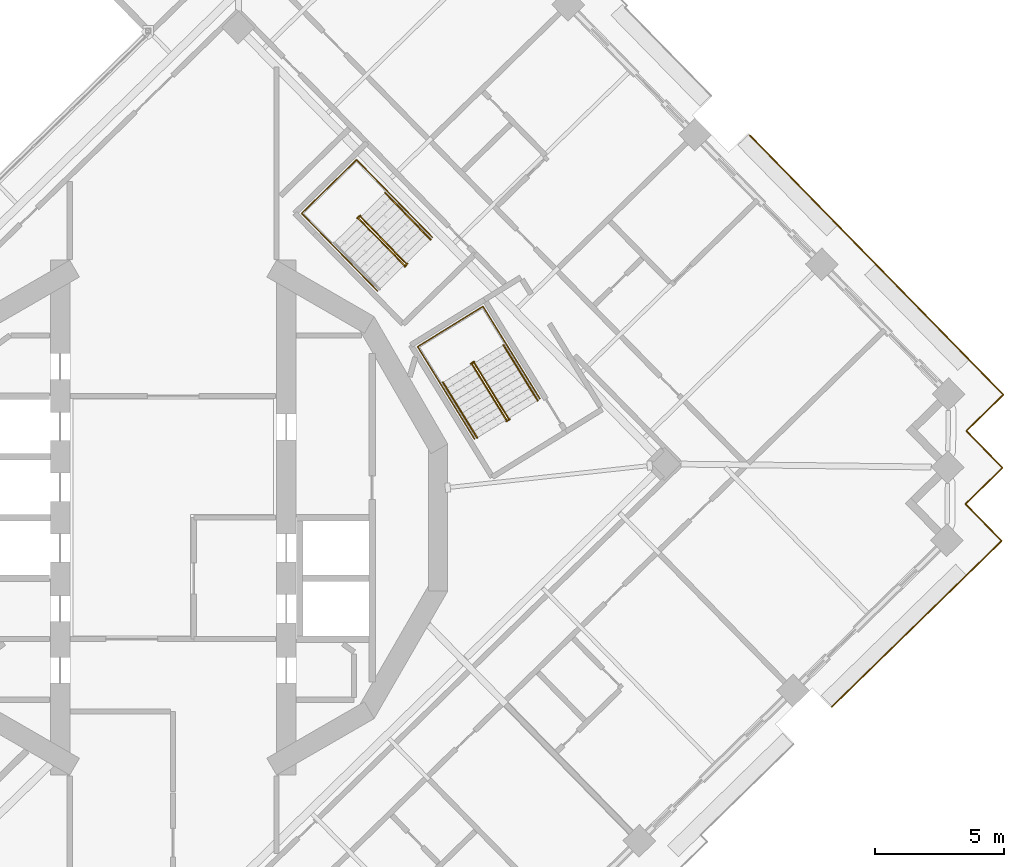
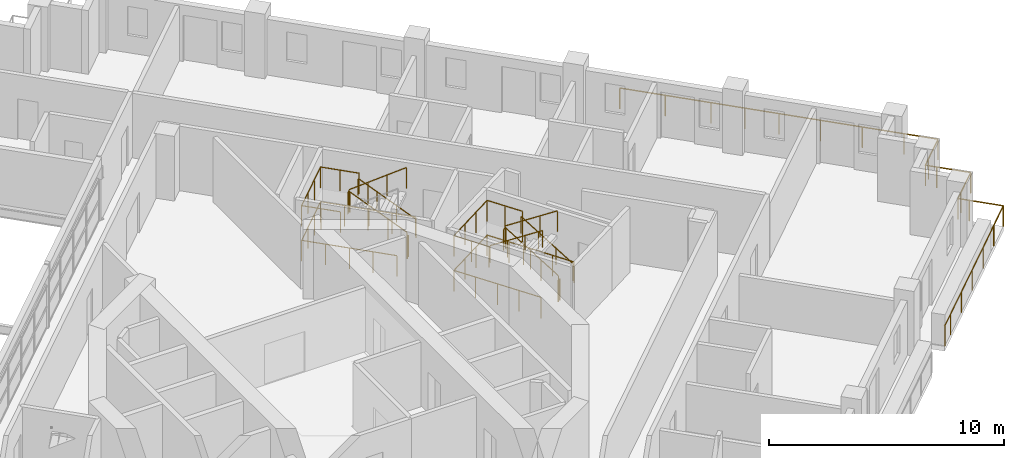
# One storey, part 16 of 18: 14 railings.
"""IFC4 building model written with IfcOpenShell, lengths in metres."""

import ifcopenshell
import ifcopenshell.guid

model = None  # the IFC model being written
_history = None  # IfcOwnerHistory: only IFC2X3 demands one
_inside = {}  # id of a spatial element -> (the spatial element, [elements in it])
_under = {}  # id of a project, library or spatial element -> (it, [spatial elements below it])
_declared = {}  # id of a project -> (the project, [libraries it declares])
_typed = {}  # id of a type object -> (the type object, [elements of that type])
_made_of = {}  # id of a material, layer set ... -> (it, [elements and type objects made of it])


def new_model(schema):
    """Start an empty IFC model of exactly this schema.

    Asked for "IFC4X3", IfcOpenShell would pick the latest addendum, in which some entities
    have other attributes; the version numbers below select the first issue.
    IFC2X3 requires an IfcOwnerHistory on every rooted entity: one is made here for all.
    """
    global model, _history
    if schema == "IFC4X3":
        model = ifcopenshell.file(schema_version=(4, 3, 0, 0))
    else:
        model = ifcopenshell.file(schema=schema)
    _inside.clear()
    _under.clear()
    _declared.clear()
    _typed.clear()
    _made_of.clear()
    _history = None
    if model.schema == "IFC2X3":
        org = make("IfcOrganization", Name="unknown")
        user = make(
            "IfcPersonAndOrganization",
            ThePerson=make("IfcPerson", FamilyName="unknown"),
            TheOrganization=org,
        )
        app = make(
            "IfcApplication",
            ApplicationDeveloper=org,
            Version="unknown",
            ApplicationFullName="unknown",
            ApplicationIdentifier="unknown",
        )
        _history = make(
            "IfcOwnerHistory",
            OwningUser=user,
            OwningApplication=app,
            ChangeAction="ADDED",
            CreationDate=0,
        )
    return model


def make(cls, **values):
    """One entity of the class cls with the attributes given. An attribute that is None is left unset."""
    return model.create_entity(
        cls, **{name: value for name, value in values.items() if value is not None}
    )


def rooted(cls, **values):
    """An entity with a GlobalId (a new one), such as an element, a storey or a relation."""
    return make(cls, GlobalId=ifcopenshell.guid.new(), OwnerHistory=_history, **values)


def si_unit(unit_type, name, prefix=None):
    """IfcSIUnit, for example si_unit("LENGTHUNIT", "METRE", prefix="MILLI")."""
    return make("IfcSIUnit", UnitType=unit_type, Prefix=prefix, Name=name)


def assignment(units):
    """IfcUnitAssignment: the units of a project."""
    return None if units is None else make("IfcUnitAssignment", Units=units)


def point(xyz):
    """IfcCartesianPoint."""
    return None if xyz is None else make("IfcCartesianPoint", Coordinates=xyz)


def direction(xyz):
    """IfcDirection."""
    return None if xyz is None else make("IfcDirection", DirectionRatios=xyz)


def frame(location, z_axis=None, x_axis=None):
    """IfcAxis2Placement3D, a coordinate frame: its origin and axes. An axis left out is left unset."""
    return make(
        "IfcAxis2Placement3D",
        Location=point(location),
        Axis=direction(z_axis),
        RefDirection=direction(x_axis),
    )


def frame_2d(location, x_axis=None):
    """IfcAxis2Placement2D, a coordinate frame in the plane: its origin and x axis."""
    return make(
        "IfcAxis2Placement2D", Location=point(location), RefDirection=direction(x_axis)
    )


def origin():
    """The frame at (0, 0, 0) with its axes left unset."""
    return frame((0.0, 0.0, 0.0))


def origin_2d():
    """The frame at (0, 0) in the plane with its x axis left unset."""
    return frame_2d((0.0, 0.0))


def place(relative_to, where):
    """IfcLocalPlacement: puts the frame where relative to a parent placement (None: the world)."""
    return make(
        "IfcLocalPlacement", PlacementRelTo=relative_to, RelativePlacement=where
    )


def context(
    kind, dimensions, precision=None, world=None, true_north=None, identifier=None
):
    """IfcGeometricRepresentationContext, for example the 3D "Model" context."""
    return make(
        "IfcGeometricRepresentationContext",
        ContextIdentifier=identifier,
        ContextType=kind,
        CoordinateSpaceDimension=dimensions,
        Precision=precision,
        WorldCoordinateSystem=world,
        TrueNorth=true_north,
    )


def subcontext(parent, identifier, kind, view, scale=None):
    """IfcGeometricRepresentationSubContext, for example "Body" below "Model"."""
    return make(
        "IfcGeometricRepresentationSubContext",
        ContextIdentifier=identifier,
        ContextType=kind,
        ParentContext=parent,
        TargetScale=scale,
        TargetView=view,
    )


def project(units=None, contexts=None):
    """IfcProject with its units and contexts."""
    return rooted(
        "IfcProject",
        Name="project",
        RepresentationContexts=contexts,
        UnitsInContext=assignment(units),
    )


def spatial(cls, under=None, at=None, **own):
    """A site, building, storey or space (cls), placed at a placement, below another one or the project."""
    s = rooted(cls, ObjectPlacement=at, **own)
    if under is not None:
        _under.setdefault(under.id(), (under, []))[1].append(s)
    return s


def profile(cls, at=None, kind="AREA", **sizes):
    """A parametric profile (cls). Its sizes go by their IFC names, for example OverallWidth=200.0."""
    return make(cls, ProfileType=kind, Position=at, **sizes)


def circle(**sizes):
    """IfcCircleProfileDef."""
    return profile("IfcCircleProfileDef", **sizes)


def extrude(swept, where, along, depth):
    """IfcExtrudedAreaSolid: the profile swept, set in the frame where, extruded along a direction by depth."""
    return make(
        "IfcExtrudedAreaSolid",
        SweptArea=swept,
        Position=where,
        ExtrudedDirection=direction(along),
        Depth=depth,
    )


def shape(context_of_items, identifier, shape_type, items):
    """IfcShapeRepresentation: the items that make up one representation, for example the "Body"."""
    return make(
        "IfcShapeRepresentation",
        ContextOfItems=context_of_items,
        RepresentationIdentifier=identifier,
        RepresentationType=shape_type,
        Items=items,
    )


def material(Name=None, Category=None):
    """IfcMaterial."""
    return make("IfcMaterial", Name=Name, Category=Category)


def made_of(thing, what):
    """Note that an element or type object is made of a material, layer set ...; save() writes the relation."""
    if what is not None:
        _made_of.setdefault(what.id(), (what, []))[1].append(thing)
    return thing


def type_object(cls, material=None, **own):
    """A type object (cls), such as IfcWallType, which elements share."""
    return made_of(rooted(cls, **own), material)


def element(
    cls,
    number,
    at=None,
    inside=None,
    cuts=None,
    type_object=None,
    material=None,
    context=None,
    identifier="Body",
    shape_type=None,
    held_by="IfcProductDefinitionShape",
    body=None,
    shapes=None,
    **own,
):
    """One element of the class cls, such as IfcWall. Its Tag is "e" and its number.

    at: its placement. inside: the storey or other place that contains it. cuts: it is an
    opening in that element (IfcRelVoidsElement). A single representation is given by context,
    identifier, shape_type and body (its items); several are given by shapes. held_by: the class
    of the entity that holds the representations. save() writes the other relations.
    """
    e = rooted(cls, Tag="e%d" % number, ObjectPlacement=at, **own)
    if body is not None:
        shapes = [shape(context, identifier, shape_type, body)]
    if shapes is not None:
        e.Representation = make(held_by, Representations=shapes)
    if inside is not None:
        _inside.setdefault(inside.id(), (inside, []))[1].append(e)
    if cuts is not None:
        rooted(
            "IfcRelVoidsElement", RelatingBuildingElement=cuts, RelatedOpeningElement=e
        )
    if type_object is not None:
        _typed.setdefault(type_object.id(), (type_object, []))[1].append(e)
    return made_of(e, material)


def aggregate(whole, parts):
    """IfcRelAggregates: a whole, such as a stair, and the parts it consists of."""
    return rooted("IfcRelAggregates", RelatingObject=whole, RelatedObjects=parts)


def save(model, path):
    """Write the relations noted so far, then the file.

    IfcRelAggregates (storeys below a building ...), IfcRelContainedInSpatialStructure (elements
    in a storey), IfcRelDefinesByType, IfcRelAssociatesMaterial and IfcRelDeclares: one each for
    every whole, place, type object, material and project.
    """
    for whole, parts in _under.values():
        aggregate(whole, parts)
    for where, things in _inside.values():
        rooted(
            "IfcRelContainedInSpatialStructure",
            RelatedElements=things,
            RelatingStructure=where,
        )
    for kind, things in _typed.values():
        rooted("IfcRelDefinesByType", RelatedObjects=things, RelatingType=kind)
    for what, things in _made_of.values():
        rooted("IfcRelAssociatesMaterial", RelatedObjects=things, RelatingMaterial=what)
    for by, libraries in _declared.values():
        rooted("IfcRelDeclares", RelatingContext=by, RelatedDefinitions=libraries)
    model.write(path)


model = new_model("IFC4")

# Units and contexts
model_context = context("Model", 3, precision=1e-05, world=origin(), true_north=direction((0.0, 1.0)))
body_context = subcontext(model_context, "Body", "Model", "MODEL_VIEW")
ifc_project = project(units=[si_unit("LENGTHUNIT", "METRE"), si_unit("AREAUNIT", "SQUARE_METRE"), si_unit("VOLUMEUNIT", "CUBIC_METRE"), si_unit("PLANEANGLEUNIT", "RADIAN"), si_unit("MASSUNIT", "GRAM", prefix="KILO")], contexts=[model_context])

# Site, building, storey
site_placement = place(None, origin())
site = spatial("IfcSite", under=ifc_project, at=site_placement, CompositionType="ELEMENT")
building_placement = place(site_placement, origin())
building = spatial("IfcBuilding", under=site, at=building_placement, Name="Cantera Rosa Tower", CompositionType="ELEMENT")
storey_placement = place(building_placement, frame((0.0, 0.0, 219.800048828125)))
storey = spatial("IfcBuildingStorey", under=building, at=storey_placement, Name="L47", CompositionType="ELEMENT", Elevation=219.800048828125)

# Railings
ifc_material_1 = material(Name="Stainless steel and laminated glass", Category="steel")
railing_type_1 = type_object("IfcRailingType", Name="GUARD 1100", PredefinedType="BALUSTRADE", material=ifc_material_1)
railing_1_placement = place(storey_placement, frame((22.313232421875, 14.795654296875, 0.0)))
element("IfcRailing", 1, at=railing_1_placement, inside=storey, type_object=railing_type_1, Name="GUARD L47-9", PredefinedType="BALUSTRADE", context=body_context, shape_type="SweptSolid", body=[
    extrude(circle(Radius=0.030029296875, at=origin_2d()), frame((0.0, 0.0, 1.070068359375), z_axis=(0.698829866575, -0.715287926351, 0.0), x_axis=(0.715287926351, 0.698829866575, 0.0)), (0.0, 0.0, 1.0), 4.02001953125),
    extrude(circle(Radius=0.030029296875, at=origin_2d()), frame((2.809326171875, -2.87548828125, 1.070068359375), z_axis=(0.698839281014, -0.715278728407, 0.0), x_axis=(0.715278728407, 0.698839281014, 0.0)), (0.0, 0.0, 1.0), 3.0),
    extrude(circle(Radius=0.030029296875, at=origin_2d()), frame((4.90576171875, -5.021240234375, 1.070068359375), z_axis=(0.698810055914, -0.715307280652, 0.0), x_axis=(0.715307280652, 0.698810055914, 0.0)), (0.0, 0.0, 1.0), 5.52001953125),
    extrude(circle(Radius=0.030029296875, at=origin_2d()), frame((8.76318359375, -8.9697265625, 1.070068359375), z_axis=(0.698921594874, -0.71519829713, 0.0), x_axis=(0.71519829713, 0.698921594874, 0.0)), (0.0, 0.0, 1.0), 1.5),
    extrude(circle(Radius=0.030029296875, at=origin_2d()), frame((9.8115234375, -10.04248046875, 1.070068359375), z_axis=(-0.715277793538, -0.698840237873, 0.0), x_axis=(0.698840237873, -0.715277793538, 0.0)), (0.0, 0.0, 1.0), 1.5),
    extrude(circle(Radius=0.030029296875, at=origin_2d()), frame((8.738525390625, -11.0908203125, 1.070068359375), z_axis=(-0.715359149995, -0.698756958118, 0.0), x_axis=(0.698756958118, -0.715359149995, 0.0)), (0.0, 0.0, 1.0), 0.5),
    extrude(circle(Radius=0.030029296875, at=origin_2d()), frame((8.380859375, -11.440185546875, 1.070068359375), z_axis=(0.699006712162, -0.715115107065, 0.0), x_axis=(0.715115107065, 0.699006712162, 0.0)), (0.0, 0.0, 1.0), 0.500244140625),
    extrude(circle(Radius=0.030029296875, at=origin_2d()), frame((8.73046875, -11.7978515625, 1.070068359375), z_axis=(0.698756958118, -0.715359149995, 0.0), x_axis=(0.715359149995, 0.698756958118, 0.0)), (0.0, 0.0, 1.0), 1.5),
    extrude(circle(Radius=0.030029296875, at=origin_2d()), frame((9.778564453125, -12.870849609375, 1.070068359375), z_axis=(-0.71519829713, -0.698921594874, 0.0), x_axis=(0.698921594874, -0.71519829713, 0.0)), (0.0, 0.0, 1.0), 1.5),
    extrude(circle(Radius=0.030029296875, at=origin_2d()), frame((8.705810546875, -13.919189453125, 1.070068359375), z_axis=(-0.715359149995, -0.698756958118, 0.0), x_axis=(0.698756958118, -0.715359149995, 0.0)), (0.0, 0.0, 1.0), 0.5),
    extrude(circle(Radius=0.030029296875, at=origin_2d()), frame((8.34814453125, -14.2685546875, 1.070068359375), z_axis=(0.698756958118, -0.715359149995, 0.0), x_axis=(0.715359149995, 0.698756958118, 0.0)), (0.0, 0.0, 1.0), 0.5),
    extrude(circle(Radius=0.030029296875, at=origin_2d()), frame((8.697509765625, -14.626220703125, 1.070068359375), z_axis=(0.698838323933, -0.71527966349, 0.0), x_axis=(0.71527966349, 0.698838323933, 0.0)), (0.0, 0.0, 1.0), 1.499755859375),
    extrude(circle(Radius=0.030029296875, at=origin_2d()), frame((9.74560546875, -15.698974609375, 1.070068359375), z_axis=(-0.71519829713, -0.698921594874, 0.0), x_axis=(0.698921594874, -0.71519829713, 0.0)), (0.0, 0.0, 1.0), 1.5),
    extrude(circle(Radius=0.030029296875, at=origin_2d()), frame((8.6728515625, -16.747314453125, 1.070068359375), z_axis=(-0.715292116391, -0.698825577829, 0.0), x_axis=(0.698825577829, -0.715292116391, 0.0)), (0.0, 0.0, 1.0), 6.820068359375),
    extrude(circle(Radius=0.030029296875, at=origin_2d()), frame((3.79443359375, -21.513427734375, 1.070068359375), z_axis=(-0.715337030636, -0.698779602308, 0.0), x_axis=(0.698779602308, -0.715337030636, 0.0)), (0.0, 0.0, 1.0), 0.869873046875),
    extrude(circle(Radius=0.02490234375, at=origin_2d()), origin(), (0.0, 0.0, 1.0), 1.0400390625),
    extrude(circle(Radius=0.02490234375, at=origin_2d()), frame((1.40478515625, -1.437744140625, 0.0)), (0.0, 0.0, 1.0), 1.0400390625),
    extrude(circle(Radius=0.02490234375, at=origin_2d()), frame((2.809326171875, -2.87548828125, 0.0)), (0.0, 0.0, 1.0), 1.0400390625),
    extrude(circle(Radius=0.02490234375, at=origin_2d()), frame((3.857421875, -3.9482421875, 0.0)), (0.0, 0.0, 1.0), 1.0400390625),
    extrude(circle(Radius=0.02490234375, at=origin_2d()), frame((4.90576171875, -5.021240234375, 0.0)), (0.0, 0.0, 1.0), 1.0400390625),
    extrude(circle(Radius=0.02490234375, at=origin_2d()), frame((6.191650390625, -6.33740234375, 0.0)), (0.0, 0.0, 1.0), 1.0400390625),
    extrude(circle(Radius=0.02490234375, at=origin_2d()), frame((7.477294921875, -7.653564453125, 0.0)), (0.0, 0.0, 1.0), 1.0400390625),
    extrude(circle(Radius=0.02490234375, at=origin_2d()), frame((8.76318359375, -8.9697265625, 0.0)), (0.0, 0.0, 1.0), 1.0400390625),
    extrude(circle(Radius=0.02490234375, at=origin_2d()), frame((9.8115234375, -10.04248046875, 0.0)), (0.0, 0.0, 1.0), 1.0400390625),
    extrude(circle(Radius=0.02490234375, at=origin_2d()), frame((8.738525390625, -11.0908203125, 0.0)), (0.0, 0.0, 1.0), 1.0400390625),
    extrude(circle(Radius=0.02490234375, at=origin_2d()), frame((8.380859375, -11.440185546875, 0.0)), (0.0, 0.0, 1.0), 1.0400390625),
    extrude(circle(Radius=0.02490234375, at=origin_2d()), frame((8.73046875, -11.7978515625, 0.0)), (0.0, 0.0, 1.0), 1.0400390625),
    extrude(circle(Radius=0.02490234375, at=origin_2d()), frame((9.778564453125, -12.870849609375, 0.0)), (0.0, 0.0, 1.0), 1.0400390625),
    extrude(circle(Radius=0.02490234375, at=origin_2d()), frame((8.705810546875, -13.919189453125, 0.0)), (0.0, 0.0, 1.0), 1.0400390625),
    extrude(circle(Radius=0.02490234375, at=origin_2d()), frame((8.34814453125, -14.2685546875, 0.0)), (0.0, 0.0, 1.0), 1.0400390625),
    extrude(circle(Radius=0.02490234375, at=origin_2d()), frame((8.697509765625, -14.626220703125, 0.0)), (0.0, 0.0, 1.0), 1.0400390625),
    extrude(circle(Radius=0.02490234375, at=origin_2d()), frame((9.74560546875, -15.698974609375, 0.0)), (0.0, 0.0, 1.0), 1.0400390625),
    extrude(circle(Radius=0.02490234375, at=origin_2d()), frame((8.6728515625, -16.747314453125, 0.0)), (0.0, 0.0, 1.0), 1.0400390625),
    extrude(circle(Radius=0.02490234375, at=origin_2d()), frame((7.453125, -17.93896484375, 0.0)), (0.0, 0.0, 1.0), 1.0400390625),
    extrude(circle(Radius=0.02490234375, at=origin_2d()), frame((6.233642578125, -19.13037109375, 0.0)), (0.0, 0.0, 1.0), 1.0400390625),
    extrude(circle(Radius=0.02490234375, at=origin_2d()), frame((5.01416015625, -20.32177734375, 0.0)), (0.0, 0.0, 1.0), 1.0400390625),
    extrude(circle(Radius=0.02490234375, at=origin_2d()), frame((3.79443359375, -21.513427734375, 0.0)), (0.0, 0.0, 1.0), 1.0400390625),
    extrude(circle(Radius=0.02490234375, at=origin_2d()), frame((3.172119140625, -22.121337890625, 0.0)), (0.0, 0.0, 1.0), 1.0400390625),
])
ifc_material_2 = material(Name="Steel S355J2 (EN 10025-2)", Category="steel")
railing_type_2 = type_object("IfcRailingType", Name="STAIR GUARD 1100", PredefinedType="GUARDRAIL", material=ifc_material_2)
railing_2_placement = place(storey_placement, frame((12.9765625, 3.834228515625, 0.179931640625)))
element("IfcRailing", 2, at=railing_2_placement, inside=storey, type_object=railing_type_2, Name="L47 ST-41 stair guard 1", PredefinedType="GUARDRAIL", context=body_context, shape_type="SweptSolid", body=[
    extrude(circle(Radius=0.02392578125, at=origin_2d()), frame((0.0, 0.0, 1.076171875), z_axis=(-0.44154346381, 0.715939337315, 0.540805172729), x_axis=(-0.851145618652, -0.524929648476, 0.0)), (0.0, 0.0, 1.0), 2.995849609375),
    extrude(circle(Radius=0.02392578125, at=origin_2d()), frame((-1.32275390625, 2.144775390625, 2.6962890625), z_axis=(-0.073711968402, 0.997279572494, 0.0), x_axis=(-0.997279572494, -0.073711968402, 0.0)), (0.0, 0.0, 1.0), 0.056396484375),
    extrude(circle(Radius=0.02392578125, at=origin_2d()), frame((-1.326904296875, 2.200927734375, 2.6962890625), z_axis=(-0.851546489876, -0.524279100842, 0.0), x_axis=(0.524279100842, -0.851546489876, 0.0)), (0.0, 0.0, 1.0), 0.14990234375),
    extrude(circle(Radius=0.02099609375, at=origin_2d()), origin(), (0.0, 0.0, 1.0), 1.052001953125),
    extrude(circle(Radius=0.02099609375, at=origin_2d()), frame((-0.44091796875, 0.71484375, 0.5400390625)), (0.0, 0.0, 1.0), 1.052001953125),
    extrude(circle(Radius=0.02099609375, at=origin_2d()), frame((-0.8818359375, 1.429931640625, 1.080078125)), (0.0, 0.0, 1.0), 1.052001953125),
    extrude(circle(Radius=0.02099609375, at=origin_2d()), frame((-1.32275390625, 2.144775390625, 1.6201171875)), (0.0, 0.0, 1.0), 1.052001953125),
    extrude(circle(Radius=0.02099609375, at=origin_2d()), frame((-1.326904296875, 2.200927734375, 1.6201171875)), (0.0, 0.0, 1.0), 1.052001953125),
    extrude(circle(Radius=0.02099609375, at=origin_2d()), frame((-1.45458984375, 2.122314453125, 1.6201171875)), (0.0, 0.0, 1.0), 1.052001953125),
])
railing_3_placement = place(storey_placement, frame((11.5703125, 5.927490234375, 1.97998046875)))
element("IfcRailing", 3, at=railing_3_placement, inside=storey, type_object=railing_type_2, Name="L47 ST-41 stair guard 2", PredefinedType="GUARDRAIL", context=body_context, shape_type="SweptSolid", body=[
    extrude(circle(Radius=0.02392578125, at=origin_2d()), frame((0.0, 0.0, 1.076171875), z_axis=(0.441628529057, -0.715945124149, 0.540728047664), x_axis=(0.851102330005, 0.524999832248, 0.0)), (0.0, 0.0, 1.0), 2.99560546875),
    extrude(circle(Radius=0.02099609375, at=origin_2d()), origin(), (0.0, 0.0, 1.0), 1.052001953125),
    extrude(circle(Radius=0.02099609375, at=origin_2d()), frame((0.44091796875, -0.71484375, 0.5400390625)), (0.0, 0.0, 1.0), 1.052001953125),
    extrude(circle(Radius=0.02099609375, at=origin_2d()), frame((0.882080078125, -1.429931640625, 1.079833984375)), (0.0, 0.0, 1.0), 1.052001953125),
    extrude(circle(Radius=0.02099609375, at=origin_2d()), frame((1.322998046875, -2.144775390625, 1.619873046875)), (0.0, 0.0, 1.0), 1.052001953125),
])
railing_4_placement = place(storey_placement, frame((13.025146484375, 3.80517578125, 0.0)))
element("IfcRailing", 4, at=railing_4_placement, inside=storey, type_object=railing_type_2, Name="L47 ST-41 stair guard 3", PredefinedType="GUARDRAIL", context=body_context, shape_type="SweptSolid", body=[
    extrude(circle(Radius=0.02392578125, at=origin_2d()), frame((0.0, 0.0, 1.076171875), z_axis=(-0.851546489876, -0.524279100842, 0.0), x_axis=(0.524279100842, -0.851546489876, 0.0)), (0.0, 0.0, 1.0), 0.14990234375),
    extrude(circle(Radius=0.02099609375, at=origin_2d()), origin(), (0.0, 0.0, 1.0), 1.052001953125),
    extrude(circle(Radius=0.02099609375, at=origin_2d()), frame((-0.127685546875, -0.07861328125, 0.0)), (0.0, 0.0, 1.0), 1.052001953125),
])
railing_5_placement = place(storey_placement, frame((14.192626953125, 4.59814453125, 0.0)))
element("IfcRailing", 5, at=railing_5_placement, inside=storey, type_object=railing_type_2, Name="L47 ST-41 stair guard 4", PredefinedType="GUARDRAIL", context=body_context, shape_type="SweptSolid", body=[
    extrude(circle(Radius=0.02392578125, at=origin_2d()), frame((0.0, 0.0, 1.076171875), z_axis=(-0.524976478809, 0.851116735059, 0.0), x_axis=(-0.851116735059, -0.524976478809, 0.0)), (0.0, 0.0, 1.0), 4.197998046875),
    extrude(circle(Radius=0.02392578125, at=origin_2d()), frame((-2.203857421875, 3.572998046875, 1.076171875), z_axis=(-0.851132917336, -0.524950242429, 0.0), x_axis=(0.524950242429, -0.851132917336, 0.0)), (0.0, 0.0, 1.0), 2.969970703125),
    extrude(circle(Radius=0.02392578125, at=origin_2d()), frame((-4.731689453125, 2.013916015625, 1.076171875), z_axis=(0.524976478809, -0.851116735059, 0.0), x_axis=(0.851116735059, 0.524976478809, 0.0)), (0.0, 0.0, 1.0), 4.197998046875),
    extrude(circle(Radius=0.02099609375, at=origin_2d()), origin(), (0.0, 0.0, 1.0), 1.052001953125),
    extrude(circle(Radius=0.02099609375, at=origin_2d()), frame((-0.551025390625, 0.893310546875, 0.0)), (0.0, 0.0, 1.0), 1.052001953125),
    extrude(circle(Radius=0.02099609375, at=origin_2d()), frame((-1.10205078125, 1.78662109375, 0.0)), (0.0, 0.0, 1.0), 1.052001953125),
    extrude(circle(Radius=0.02099609375, at=origin_2d()), frame((-1.65283203125, 2.6796875, 0.0)), (0.0, 0.0, 1.0), 1.052001953125),
    extrude(circle(Radius=0.02099609375, at=origin_2d()), frame((-2.203857421875, 3.572998046875, 0.0)), (0.0, 0.0, 1.0), 1.052001953125),
    extrude(circle(Radius=0.02099609375, at=origin_2d()), frame((-3.04638671875, 3.05322265625, 0.0)), (0.0, 0.0, 1.0), 1.052001953125),
    extrude(circle(Radius=0.02099609375, at=origin_2d()), frame((-3.88916015625, 2.53369140625, 0.0)), (0.0, 0.0, 1.0), 1.052001953125),
    extrude(circle(Radius=0.02099609375, at=origin_2d()), frame((-4.731689453125, 2.013916015625, 0.0)), (0.0, 0.0, 1.0), 1.052001953125),
    extrude(circle(Radius=0.02099609375, at=origin_2d()), frame((-4.1806640625, 1.12060546875, 0.0)), (0.0, 0.0, 1.0), 1.052001953125),
    extrude(circle(Radius=0.02099609375, at=origin_2d()), frame((-3.6298828125, 0.2275390625, 0.0)), (0.0, 0.0, 1.0), 1.052001953125),
    extrude(circle(Radius=0.02099609375, at=origin_2d()), frame((-3.078857421875, -0.665771484375, 0.0)), (0.0, 0.0, 1.0), 1.052001953125),
    extrude(circle(Radius=0.02099609375, at=origin_2d()), frame((-2.52783203125, -1.55908203125, 0.0)), (0.0, 0.0, 1.0), 1.052001953125),
])
railing_6_placement = place(storey_placement, frame((12.88232421875, 6.72265625, 1.800048828125)))
element("IfcRailing", 6, at=railing_6_placement, inside=storey, type_object=railing_type_2, Name="L47 ST-41 stair guard 5", PredefinedType="GUARDRAIL", context=body_context, shape_type="SweptSolid", body=[
    extrude(circle(Radius=0.02392578125, at=origin_2d()), frame((0.0, 0.0, 1.076171875), z_axis=(-0.525025534833, 0.851086474909, 0.0), x_axis=(-0.851086474909, -0.525025534833, 0.0)), (0.0, 0.0, 1.0), 1.701904296875),
    extrude(circle(Radius=0.02392578125, at=origin_2d()), frame((-0.8935546875, 1.448486328125, 1.076171875), z_axis=(-0.851132917336, -0.524950242429, 0.0), x_axis=(0.524950242429, -0.851132917336, 0.0)), (0.0, 0.0, 1.0), 2.969970703125),
    extrude(circle(Radius=0.02392578125, at=origin_2d()), frame((-3.42138671875, -0.110595703125, 1.076171875), z_axis=(0.524961441845, -0.851126009811, 0.0), x_axis=(0.851126009811, 0.524961441845, 0.0)), (0.0, 0.0, 1.0), 1.7021484375),
    extrude(circle(Radius=0.02099609375, at=origin_2d()), origin(), (0.0, 0.0, 1.0), 1.052001953125),
    extrude(circle(Radius=0.02099609375, at=origin_2d()), frame((-0.44677734375, 0.72412109375, 0.0)), (0.0, 0.0, 1.0), 1.052001953125),
    extrude(circle(Radius=0.02099609375, at=origin_2d()), frame((-0.8935546875, 1.448486328125, 0.0)), (0.0, 0.0, 1.0), 1.052001953125),
    extrude(circle(Radius=0.02099609375, at=origin_2d()), frame((-1.736083984375, 0.9287109375, 0.0)), (0.0, 0.0, 1.0), 1.052001953125),
    extrude(circle(Radius=0.02099609375, at=origin_2d()), frame((-2.578857421875, 0.4091796875, 0.0)), (0.0, 0.0, 1.0), 1.052001953125),
    extrude(circle(Radius=0.02099609375, at=origin_2d()), frame((-3.42138671875, -0.110595703125, 0.0)), (0.0, 0.0, 1.0), 1.052001953125),
    extrude(circle(Radius=0.02099609375, at=origin_2d()), frame((-2.974609375, -0.8349609375, 0.0)), (0.0, 0.0, 1.0), 1.052001953125),
    extrude(circle(Radius=0.02099609375, at=origin_2d()), frame((-2.52783203125, -1.559326171875, 0.0)), (0.0, 0.0, 1.0), 1.052001953125),
])
railing_7_placement = place(storey_placement, frame((9.013427734375, 9.832763671875, 0.179931640625)))
element("IfcRailing", 7, at=railing_7_placement, inside=storey, type_object=railing_type_2, Name="L47 ST-42 stair guard 1", PredefinedType="GUARDRAIL", context=body_context, shape_type="SweptSolid", body=[
    extrude(circle(Radius=0.02392578125, at=origin_2d()), frame((0.0, 0.0, 1.076171875), z_axis=(-0.587818193466, 0.601672219931, 0.54079599776), x_axis=(-0.715293958342, -0.698823692472, 0.0)), (0.0, 0.0, 1.0), 2.995849609375),
    extrude(circle(Radius=0.02392578125, at=origin_2d()), frame((-1.760986328125, 1.802490234375, 2.6962890625), z_axis=(-0.290127576896, 0.956987977523, 0.0), x_axis=(-0.956987977523, -0.290127576896, 0.0)), (0.0, 0.0, 1.0), 0.056396484375),
    extrude(circle(Radius=0.02392578125, at=origin_2d()), frame((-1.77734375, 1.8564453125, 2.6962890625), z_axis=(-0.71600013962, -0.69810013613, 0.0), x_axis=(0.69810013613, -0.71600013962, 0.0)), (0.0, 0.0, 1.0), 0.150146484375),
    extrude(circle(Radius=0.02099609375, at=origin_2d()), origin(), (0.0, 0.0, 1.0), 1.052001953125),
    extrude(circle(Radius=0.02099609375, at=origin_2d()), frame((-0.5869140625, 0.600830078125, 0.5400390625)), (0.0, 0.0, 1.0), 1.052001953125),
    extrude(circle(Radius=0.02099609375, at=origin_2d()), frame((-1.174072265625, 1.20166015625, 1.080078125)), (0.0, 0.0, 1.0), 1.052001953125),
    extrude(circle(Radius=0.02099609375, at=origin_2d()), frame((-1.760986328125, 1.802490234375, 1.6201171875)), (0.0, 0.0, 1.0), 1.052001953125),
    extrude(circle(Radius=0.02099609375, at=origin_2d()), frame((-1.77734375, 1.8564453125, 1.6201171875)), (0.0, 0.0, 1.0), 1.052001953125),
    extrude(circle(Radius=0.02099609375, at=origin_2d()), frame((-1.884765625, 1.751708984375, 1.6201171875)), (0.0, 0.0, 1.0), 1.052001953125),
])
railing_8_placement = place(storey_placement, frame((7.182373046875, 11.56689453125, 1.97998046875)))
element("IfcRailing", 8, at=railing_8_placement, inside=storey, type_object=railing_type_2, Name="L47 ST-42 stair guard 2", PredefinedType="GUARDRAIL", context=body_context, shape_type="SweptSolid", body=[
    extrude(circle(Radius=0.02392578125, at=origin_2d()), frame((0.0, 0.0, 1.076171875), z_axis=(0.587844099419, -0.60169873645, 0.540738333515), x_axis=(0.715293958342, 0.698823692472, 0.0)), (0.0, 0.0, 1.0), 2.99560546875),
    extrude(circle(Radius=0.02099609375, at=origin_2d()), origin(), (0.0, 0.0, 1.0), 1.052001953125),
    extrude(circle(Radius=0.02099609375, at=origin_2d()), frame((0.5869140625, -0.600830078125, 0.5400390625)), (0.0, 0.0, 1.0), 1.052001953125),
    extrude(circle(Radius=0.02099609375, at=origin_2d()), frame((1.174072265625, -1.20166015625, 1.079833984375)), (0.0, 0.0, 1.0), 1.052001953125),
    extrude(circle(Radius=0.02099609375, at=origin_2d()), frame((1.760986328125, -1.802490234375, 1.619873046875)), (0.0, 0.0, 1.0), 1.052001953125),
])
railing_9_placement = place(storey_placement, frame((9.06689453125, 9.815185546875, 0.0)))
element("IfcRailing", 9, at=railing_9_placement, inside=storey, type_object=railing_type_2, Name="L47 ST-42 stair guard 3", PredefinedType="GUARDRAIL", context=body_context, shape_type="SweptSolid", body=[
    extrude(circle(Radius=0.02392578125, at=origin_2d()), frame((0.0, 0.0, 1.076171875), z_axis=(-0.715205710557, -0.698914008722, 0.0), x_axis=(0.698914008722, -0.715205710557, 0.0)), (0.0, 0.0, 1.0), 0.14990234375),
    extrude(circle(Radius=0.02099609375, at=origin_2d()), origin(), (0.0, 0.0, 1.0), 1.052001953125),
    extrude(circle(Radius=0.02099609375, at=origin_2d()), frame((-0.107177734375, -0.104736328125, 0.0)), (0.0, 0.0, 1.0), 1.052001953125),
])
railing_10_placement = place(storey_placement, frame((10.0322265625, 10.844970703125, 0.0)))
element("IfcRailing", 10, at=railing_10_placement, inside=storey, type_object=railing_type_2, Name="L47 ST-42 stair guard 4", PredefinedType="GUARDRAIL", context=body_context, shape_type="SweptSolid", body=[
    extrude(circle(Radius=0.02392578125, at=origin_2d()), frame((0.0, 0.0, 1.076171875), z_axis=(-0.698859254364, 0.715259213566, 0.0), x_axis=(-0.715259213566, -0.698859254364, 0.0)), (0.0, 0.0, 1.0), 4.197998046875),
    extrude(circle(Radius=0.02392578125, at=origin_2d()), frame((-2.933837890625, 3.002685546875, 1.076171875), z_axis=(-0.715279654138, -0.698838333505, 0.0), x_axis=(0.698838333505, -0.715279654138, 0.0)), (0.0, 0.0, 1.0), 2.9697265625),
    extrude(circle(Radius=0.02392578125, at=origin_2d()), frame((-5.05810546875, 0.92724609375, 1.076171875), z_axis=(0.698829500247, -0.715288284249, 0.0), x_axis=(0.715288284249, 0.698829500247, 0.0)), (0.0, 0.0, 1.0), 4.19775390625),
    extrude(circle(Radius=0.02099609375, at=origin_2d()), origin(), (0.0, 0.0, 1.0), 1.052001953125),
    extrude(circle(Radius=0.02099609375, at=origin_2d()), frame((-0.7333984375, 0.750732421875, 0.0)), (0.0, 0.0, 1.0), 1.052001953125),
    extrude(circle(Radius=0.02099609375, at=origin_2d()), frame((-1.466796875, 1.50146484375, 0.0)), (0.0, 0.0, 1.0), 1.052001953125),
    extrude(circle(Radius=0.02099609375, at=origin_2d()), frame((-2.200439453125, 2.251953125, 0.0)), (0.0, 0.0, 1.0), 1.052001953125),
    extrude(circle(Radius=0.02099609375, at=origin_2d()), frame((-2.933837890625, 3.002685546875, 0.0)), (0.0, 0.0, 1.0), 1.052001953125),
    extrude(circle(Radius=0.02099609375, at=origin_2d()), frame((-3.641845703125, 2.310791015625, 0.0)), (0.0, 0.0, 1.0), 1.052001953125),
    extrude(circle(Radius=0.02099609375, at=origin_2d()), frame((-4.35009765625, 1.619140625, 0.0)), (0.0, 0.0, 1.0), 1.052001953125),
    extrude(circle(Radius=0.02099609375, at=origin_2d()), frame((-5.05810546875, 0.92724609375, 0.0)), (0.0, 0.0, 1.0), 1.052001953125),
    extrude(circle(Radius=0.02099609375, at=origin_2d()), frame((-4.32470703125, 0.176513671875, 0.0)), (0.0, 0.0, 1.0), 1.052001953125),
    extrude(circle(Radius=0.02099609375, at=origin_2d()), frame((-3.59130859375, -0.57421875, 0.0)), (0.0, 0.0, 1.0), 1.052001953125),
    extrude(circle(Radius=0.02099609375, at=origin_2d()), frame((-2.85791015625, -1.32470703125, 0.0)), (0.0, 0.0, 1.0), 1.052001953125),
    extrude(circle(Radius=0.02099609375, at=origin_2d()), frame((-2.12451171875, -2.075439453125, 0.0)), (0.0, 0.0, 1.0), 1.052001953125),
])
railing_11_placement = place(storey_placement, frame((8.287841796875, 12.63037109375, 1.800048828125)))
element("IfcRailing", 11, at=railing_11_placement, inside=storey, type_object=railing_type_2, Name="L47 ST-42 stair guard 5", PredefinedType="GUARDRAIL", context=body_context, shape_type="SweptSolid", body=[
    extrude(circle(Radius=0.02392578125, at=origin_2d()), frame((0.0, 0.0, 1.076171875), z_axis=(-0.698882919007, 0.715236090757, 0.0), x_axis=(-0.715236090757, -0.698882919007, 0.0)), (0.0, 0.0, 1.0), 1.701904296875),
    extrude(circle(Radius=0.02392578125, at=origin_2d()), frame((-1.189453125, 1.21728515625, 1.076171875), z_axis=(-0.715279654138, -0.698838333505, 0.0), x_axis=(0.698838333505, -0.715279654138, 0.0)), (0.0, 0.0, 1.0), 2.9697265625),
    extrude(circle(Radius=0.02392578125, at=origin_2d()), frame((-3.313720703125, -0.858154296875, 1.076171875), z_axis=(0.698811217595, -0.715306145761, 0.0), x_axis=(0.715306145761, 0.698811217595, 0.0)), (0.0, 0.0, 1.0), 1.7021484375),
    extrude(circle(Radius=0.02099609375, at=origin_2d()), origin(), (0.0, 0.0, 1.0), 1.052001953125),
    extrude(circle(Radius=0.02099609375, at=origin_2d()), frame((-0.5947265625, 0.608642578125, 0.0)), (0.0, 0.0, 1.0), 1.052001953125),
    extrude(circle(Radius=0.02099609375, at=origin_2d()), frame((-1.189453125, 1.21728515625, 0.0)), (0.0, 0.0, 1.0), 1.052001953125),
    extrude(circle(Radius=0.02099609375, at=origin_2d()), frame((-1.8974609375, 0.525390625, 0.0)), (0.0, 0.0, 1.0), 1.052001953125),
    extrude(circle(Radius=0.02099609375, at=origin_2d()), frame((-2.605712890625, -0.166259765625, 0.0)), (0.0, 0.0, 1.0), 1.052001953125),
    extrude(circle(Radius=0.02099609375, at=origin_2d()), frame((-3.313720703125, -0.858154296875, 0.0)), (0.0, 0.0, 1.0), 1.052001953125),
    extrude(circle(Radius=0.02099609375, at=origin_2d()), frame((-2.718994140625, -1.466796875, 0.0)), (0.0, 0.0, 1.0), 1.052001953125),
    extrude(circle(Radius=0.02099609375, at=origin_2d()), frame((-2.124267578125, -2.07568359375, 0.0)), (0.0, 0.0, 1.0), 1.052001953125),
])
ifc_material_3 = material(Name="Steel S355J2 (EN 10025-2)", Category="steel")
railing_type_3 = type_object("IfcRailingType", Name="STAIR HANDRAIL 900", PredefinedType="HANDRAIL", material=ifc_material_3)
railing_12_placement = place(storey_placement, frame((14.105224609375, 4.5302734375, 0.179931640625)))
element("IfcRailing", 12, at=railing_12_placement, inside=storey, type_object=railing_type_3, Name="L47 ST-41 stair handrail 1", PredefinedType="HANDRAIL", context=body_context, shape_type="SweptSolid", body=[
    extrude(circle(Radius=0.02392578125, at=origin_2d()), frame((0.0, 0.0, 0.8759765625), z_axis=(-0.441609067481, 0.715913574058, 0.540785711718), x_axis=(-0.851102330005, -0.524999832248, 0.0)), (0.0, 0.0, 1.0), 2.995849609375),
    extrude(circle(Radius=0.02099609375, at=origin_2d()), origin(), (0.0, 0.0, 1.0), 0.851806640625),
    extrude(circle(Radius=0.02099609375, at=origin_2d()), frame((-0.44091796875, 0.71484375, 0.5400390625)), (0.0, 0.0, 1.0), 0.851806640625),
    extrude(circle(Radius=0.02099609375, at=origin_2d()), frame((-0.882080078125, 1.429931640625, 1.080078125)), (0.0, 0.0, 1.0), 0.851806640625),
    extrude(circle(Radius=0.02099609375, at=origin_2d()), frame((-1.322998046875, 2.144775390625, 1.6201171875)), (0.0, 0.0, 1.0), 0.851806640625),
])
railing_13_placement = place(storey_placement, frame((10.441650390625, 5.2314453125, 1.97998046875)))
element("IfcRailing", 13, at=railing_13_placement, inside=storey, type_object=railing_type_3, Name="L47 ST-41 stair handrail 2", PredefinedType="HANDRAIL", context=body_context, shape_type="SweptSolid", body=[
    extrude(circle(Radius=0.02392578125, at=origin_2d()), frame((0.0, 0.0, 0.8759765625), z_axis=(0.441628529057, -0.715945124149, 0.540728047664), x_axis=(0.851102330005, 0.524999832248, 0.0)), (0.0, 0.0, 1.0), 2.99560546875),
    extrude(circle(Radius=0.02099609375, at=origin_2d()), origin(), (0.0, 0.0, 1.0), 0.851806640625),
    extrude(circle(Radius=0.02099609375, at=origin_2d()), frame((0.44091796875, -0.71484375, 0.5400390625)), (0.0, 0.0, 1.0), 0.851806640625),
    extrude(circle(Radius=0.02099609375, at=origin_2d()), frame((0.882080078125, -1.429931640625, 1.079833984375)), (0.0, 0.0, 1.0), 0.851806640625),
    extrude(circle(Radius=0.02099609375, at=origin_2d()), frame((1.322998046875, -2.144775390625, 1.619873046875)), (0.0, 0.0, 1.0), 0.851806640625),
])
railing_14_placement = place(storey_placement, frame((9.9619140625, 10.759521484375, 0.179931640625)))
element("IfcRailing", 14, at=railing_14_placement, inside=storey, type_object=railing_type_3, Name="L47 ST-42 stair handrail 1", PredefinedType="HANDRAIL", context=body_context, shape_type="SweptSolid", body=[
    extrude(circle(Radius=0.02392578125, at=origin_2d()), frame((0.0, 0.0, 0.8759765625), z_axis=(-0.587818193466, 0.601672219931, 0.54079599776), x_axis=(-0.715293958342, -0.698823692472, 0.0)), (0.0, 0.0, 1.0), 2.995849609375),
    extrude(circle(Radius=0.02099609375, at=origin_2d()), origin(), (0.0, 0.0, 1.0), 0.851806640625),
    extrude(circle(Radius=0.02099609375, at=origin_2d()), frame((-0.5869140625, 0.600830078125, 0.5400390625)), (0.0, 0.0, 1.0), 0.851806640625),
    extrude(circle(Radius=0.02099609375, at=origin_2d()), frame((-1.174072265625, 1.20166015625, 1.080078125)), (0.0, 0.0, 1.0), 0.851806640625),
    extrude(circle(Radius=0.02099609375, at=origin_2d()), frame((-1.760986328125, 1.802490234375, 1.6201171875)), (0.0, 0.0, 1.0), 0.851806640625),
])

save(model, "model.ifc")
